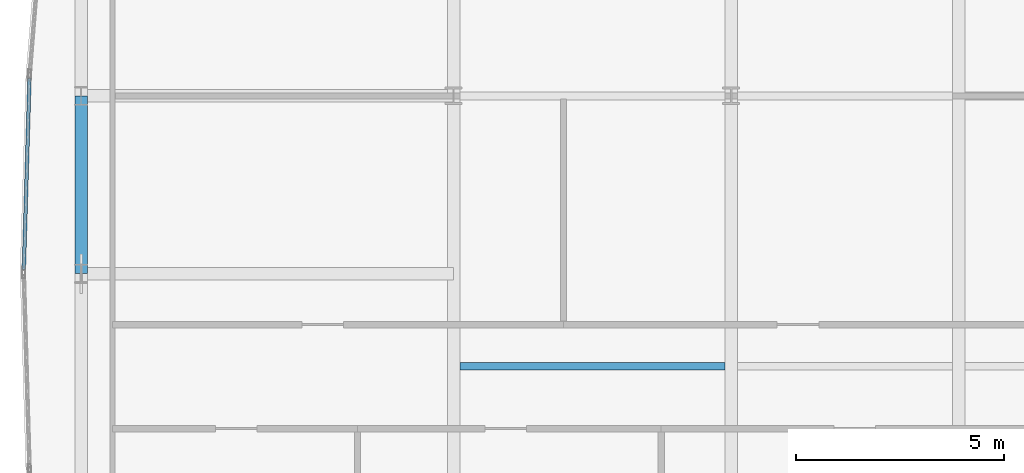
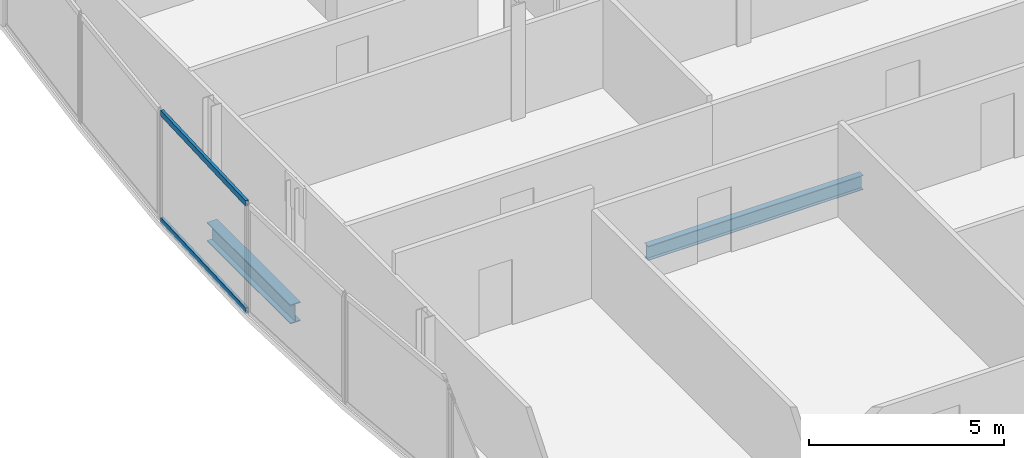
# One storey, part 11 of 29: 2 beams, 2 members, 1 element without a shape of its own.
"""IFC4 building model written with IfcOpenShell, lengths in metres."""

from ifc_helpers import new_model, si_unit, direction, frame, origin, origin_2d, place, context, subcontext, project, spatial, hollow_rectangle, i_section, extrude, material, material_profile, profile_set, type_object, element, aggregate, save


model = new_model("IFC4")

# Units and contexts
model_context = context("Model", 3, precision=1e-05, world=origin(), true_north=direction((0.0, 1.0)))
body_context = subcontext(model_context, "Body", "Model", "MODEL_VIEW")
ifc_project = project(units=[si_unit("LENGTHUNIT", "METRE"), si_unit("AREAUNIT", "SQUARE_METRE"), si_unit("VOLUMEUNIT", "CUBIC_METRE"), si_unit("PLANEANGLEUNIT", "RADIAN"), si_unit("MASSUNIT", "GRAM", prefix="KILO")], contexts=[model_context])

# Site, building, storey
site_placement = place(None, origin())
site = spatial("IfcSite", under=ifc_project, at=site_placement, CompositionType="ELEMENT")
building_placement = place(site_placement, origin())
building = spatial("IfcBuilding", under=site, at=building_placement, Name="Khoronbel Lancet Exchange", CompositionType="ELEMENT")
storey_placement = place(building_placement, frame((0.0, 0.0, 246.199951171875)))
storey = spatial("IfcBuildingStorey", under=building, at=storey_placement, Name="L63", CompositionType="ELEMENT", Elevation=246.199951171875)

# Beams
ifc_material_1 = material(Name="Steel S355", Category="steel")
ifc_material_profile_1 = material_profile(ifc_material_1, i_section(OverallWidth=0.18994140625, OverallDepth=0.449951171875, WebThickness=0.009521484375, FlangeThickness=0.0146484375, at=origin_2d()), Name="IPE 450")
ifc_profile_set_1 = profile_set([ifc_material_profile_1], Name="Steel S355")
beam_type_1 = type_object("IfcBeamType", Name="BM-BJ4", PredefinedType="JOIST", material=ifc_profile_set_1)
beam_1_placement = place(storey_placement, frame((18.375, 29.199951171875, -0.385009765625), z_axis=(1.0, 0.0, 0.0), x_axis=(0.0, 1.0, 0.0)))
element("IfcBeam", 1, at=beam_1_placement, inside=storey, type_object=beam_type_1, Name="Level L63 secondary composite joist J11", PredefinedType="JOIST", context=body_context, shape_type="SweptSolid", body=[
    extrude(i_section(OverallWidth=0.18994140625, OverallDepth=0.449951171875, WebThickness=0.009521484375, FlangeThickness=0.0146484375, at=origin_2d()), origin(), (0.0, 0.0, 1.0), 6.375),
])
ifc_material_profile_2 = material_profile(ifc_material_1, i_section(OverallWidth=0.300048828125, OverallDepth=0.60009765625, WebThickness=0.015380859375, FlangeThickness=0.030029296875, at=origin_2d()), Name="HEB 600")
ifc_profile_set_2 = profile_set([ifc_material_profile_2], Name="Steel S355")
beam_type_2 = type_object("IfcBeamType", Name="BM-BSP2", PredefinedType="SPANDREL", material=ifc_profile_set_2)
beam_2_placement = place(storey_placement, frame((9.27001953125, 35.699951171875, -0.4599609375), z_axis=(0.0, -1.0, 0.0), x_axis=(1.0, 0.0, 0.0)))
element("IfcBeam", 2, at=beam_2_placement, inside=storey, type_object=beam_type_2, Name="Level L63 perimeter spandrel beam SP18", PredefinedType="SPANDREL", context=body_context, shape_type="SweptSolid", body=[
    extrude(i_section(OverallWidth=0.300048828125, OverallDepth=0.60009765625, WebThickness=0.015380859375, FlangeThickness=0.030029296875, at=origin_2d()), origin(), (0.0, 0.0, 1.0), 4.27490234375),
])

# Curtain wall, members
ifc_material_2 = material(Name="Low-E Solar Control Insulating Glass", Category="glass")
curtain_wall_type = type_object("IfcCurtainWallType", Name="CW-4", PredefinedType="NOTDEFINED", material=ifc_material_2)
curtain_wall_placement = place(storey_placement, origin())
curtain_wall = element("IfcCurtainWall", 3, at=curtain_wall_placement, inside=storey, type_object=curtain_wall_type, Name="Unitised curtain wall CW-L63-E07", PredefinedType="NOTDEFINED")
ifc_material_3 = material(Name="Bronze-Anodised Aluminium 6063-T6", Category="aluminium")
ifc_material_profile_3 = material_profile(ifc_material_3, hollow_rectangle(XDim=0.0849609375, YDim=0.179931640625, WallThickness=0.0048828125, at=origin_2d()), Name="ALU TRANSOM 85x180")
ifc_profile_set_3 = profile_set([ifc_material_profile_3], Name="Bronze-Anodised Aluminium 6063-T6")
member_type = type_object("IfcMemberType", Name="MEM-CWT1", PredefinedType="USERDEFINED", material=ifc_profile_set_3)
member_1_placement = place(storey_placement, frame((7.892333984375, 31.52490234375, 0.04248046875), z_axis=(0.029580079929, 0.999562413695, 0.0), x_axis=(-0.999562413695, 0.029580079929, 0.0)))
member_1 = element("IfcMember", 4, at=member_1_placement, type_object=member_type, Name="CW4 transom 1.1", ObjectType="TRANSOM", PredefinedType="USERDEFINED", context=body_context, shape_type="SweptSolid", body=[
    extrude(hollow_rectangle(XDim=0.0849609375, YDim=0.179931640625, WallThickness=0.0048828125, at=origin_2d()), origin(), (0.0, 0.0, 1.0), 4.59716796875),
])
member_2_placement = place(storey_placement, frame((7.892333984375, 31.52490234375, 3.3974609375), z_axis=(0.029580079929, 0.999562413695, 0.0), x_axis=(-0.999562413695, 0.029580079929, 0.0)))
member_2 = element("IfcMember", 5, at=member_2_placement, type_object=member_type, Name="CW4 transom 1.2", ObjectType="TRANSOM", PredefinedType="USERDEFINED", context=body_context, shape_type="SweptSolid", body=[
    extrude(hollow_rectangle(XDim=0.0849609375, YDim=0.179931640625, WallThickness=0.0048828125, at=origin_2d()), origin(), (0.0, 0.0, 1.0), 4.59716796875),
])
aggregate(curtain_wall, [member_1, member_2])

save(model, "model.ifc")
